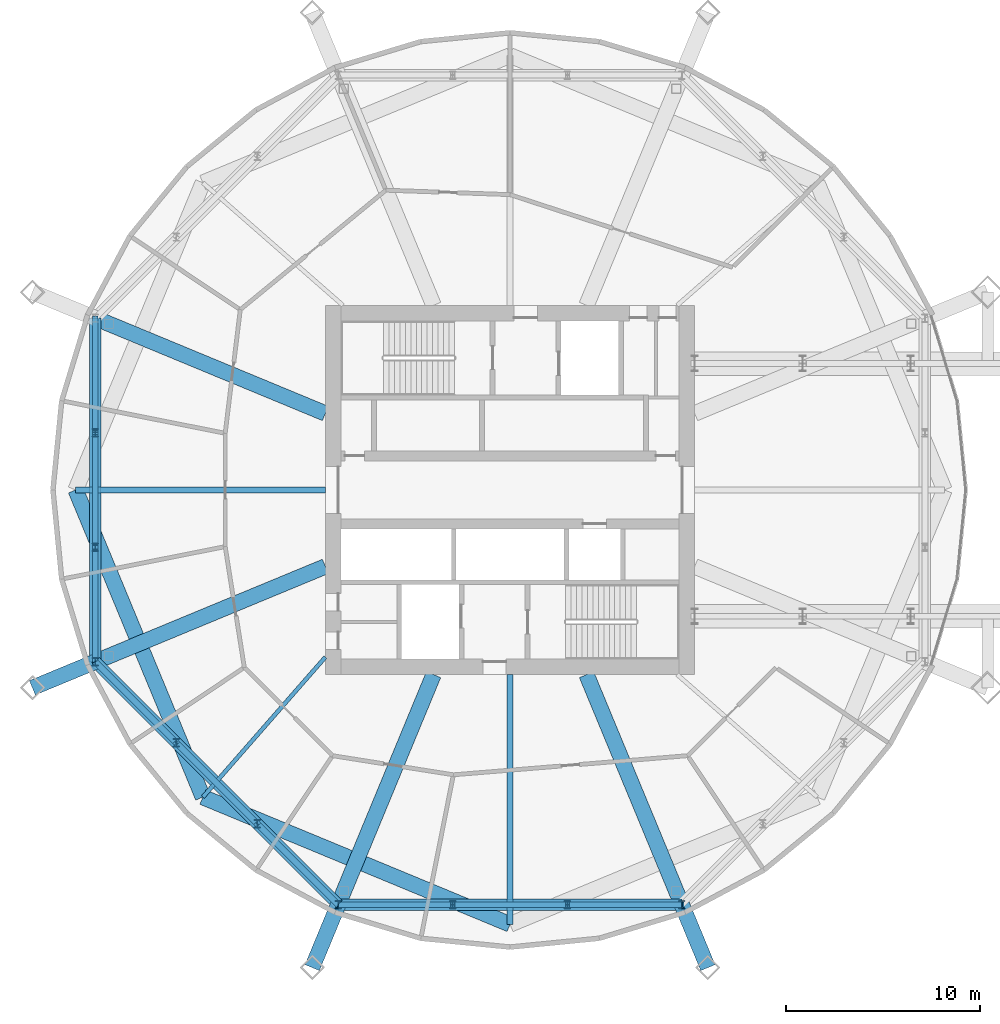
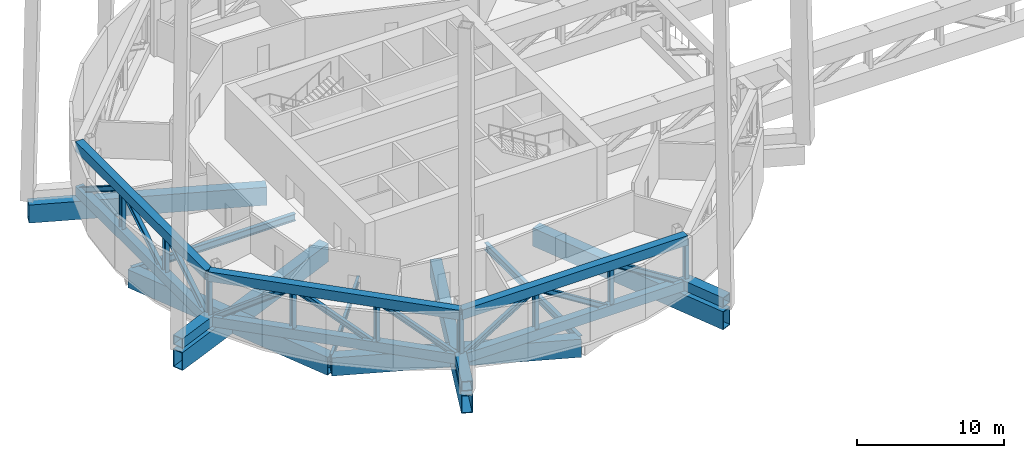
# One storey, part 3 of 19: 24 members, 12 beams.
"""IFC4 building model written with IfcOpenShell, lengths in metres."""

from ifc_helpers import new_model, si_unit, direction, frame, origin, origin_2d, place, context, subcontext, project, spatial, hollow_rectangle, i_section, extrude, material, material_profile, profile_set, type_object, element, save


model = new_model("IFC4")

# Units and contexts
model_context = context("Model", 3, precision=1e-05, world=origin(), true_north=direction((0.0, 1.0)))
body_context = subcontext(model_context, "Body", "Model", "MODEL_VIEW")
ifc_project = project(units=[si_unit("LENGTHUNIT", "METRE"), si_unit("AREAUNIT", "SQUARE_METRE"), si_unit("VOLUMEUNIT", "CUBIC_METRE"), si_unit("PLANEANGLEUNIT", "RADIAN"), si_unit("MASSUNIT", "GRAM", prefix="KILO")], contexts=[model_context])

# Site, building, storey
site_placement = place(None, origin())
site = spatial("IfcSite", under=ifc_project, at=site_placement, CompositionType="ELEMENT")
building_placement = place(site_placement, origin())
building = spatial("IfcBuilding", under=site, at=building_placement, Name="Ogive Gate Towers", CompositionType="ELEMENT")
storey_placement = place(building_placement, frame((0.0, 0.0, 130.800048828125)))
storey = spatial("IfcBuildingStorey", under=building, at=storey_placement, Name="L31", CompositionType="ELEMENT", Elevation=130.800048828125)

# Beams
ifc_material_1 = material(Name="Steel SM460", Category="steel")
ifc_material_profile_1 = material_profile(ifc_material_1, hollow_rectangle(XDim=0.800048828125, YDim=1.5, WallThickness=0.06005859375, at=origin_2d()), Name="BX 1500x800x60")
ifc_profile_set_1 = profile_set([ifc_material_profile_1], Name="Steel SM460")
beam_type_1 = type_object("IfcBeamType", Name="Edge girder BX 1500x800x60", PredefinedType="BEAM", material=ifc_profile_set_1)
for number, where, z_axis, x_axis, name in (
    (1, (-51.803955078125, -15.803955078125, -1.050048828125), (0.923880978344, -0.382679941797, 0.0), (0.382679941797, 0.923880978344, 0.0), "T1/L31/SBM017"),
    (2, (-58.35009765625, 0.0, -1.050048828125), (0.382679941797, -0.923880978344, 0.0), (0.923880978344, 0.382679941797, 0.0), "T1/L31/SBM024"),
):
    element("IfcBeam", number, at=place(storey_placement, frame(where, z_axis=z_axis, x_axis=x_axis)), inside=storey, type_object=beam_type_1, Name=name, PredefinedType="BEAM", context=body_context, shape_type="SweptSolid", body=[
        extrude(hollow_rectangle(XDim=0.800048828125, YDim=1.5, WallThickness=0.06005859375, at=origin_2d()), origin(), (0.0, 0.0, 1.0), 17.10595703125),
    ])
ifc_material_profile_2 = material_profile(ifc_material_1, hollow_rectangle(XDim=0.800048828125, YDim=0.800048828125, WallThickness=0.050048828125, at=origin_2d()), Name="BX 800x800x50")
ifc_profile_set_2 = profile_set([ifc_material_profile_2], Name="Steel SM460")
beam_type_2 = type_object("IfcBeamType", Name="Node arm BX 800x800x50", PredefinedType="BEAM", material=ifc_profile_set_2)
for number, where, z_axis, x_axis, name in (
    (3, (-57.341552734375, -8.840087890625, 0.449951171875), (-0.923885910704, -0.382668033682, 0.0), (0.382668033682, -0.923885910704, 0.0), "T1/L31/SBM029"),
    (4, (-44.840087890625, -21.341552734375, 0.449951171875), (-0.382668033682, -0.923885910704, 0.0), (0.923885910704, -0.382668033682, 0.0), "T1/L31/SBM030"),
    (5, (-27.159912109375, -21.341552734375, 0.449951171875), (0.382668033682, -0.923885910704, 0.0), (0.923885910704, 0.382668033682, 0.0), "T1/L31/SBM031"),
):
    element("IfcBeam", number, at=place(storey_placement, frame(where, z_axis=z_axis, x_axis=x_axis)), inside=storey, type_object=beam_type_2, Name=name, PredefinedType="BEAM", context=body_context, shape_type="SweptSolid", body=[
        extrude(hollow_rectangle(XDim=0.800048828125, YDim=0.800048828125, WallThickness=0.050048828125, at=origin_2d()), origin(), (0.0, 0.0, 1.0), 3.5),
    ])
ifc_material_2 = material(Name="Steel SM355", Category="steel")
ifc_material_profile_3 = material_profile(ifc_material_2, i_section(OverallWidth=0.300048828125, OverallDepth=0.590087890625, WebThickness=0.012939453125, FlangeThickness=0.02490234375, FilletRadius=0.027099609375, at=origin_2d()), Name="HE 600 A")
ifc_profile_set_3 = profile_set([ifc_material_profile_3], Name="Steel SM355")
beam_type_3 = type_object("IfcBeamType", Name="Radial floor beam HE 600 A", PredefinedType="BEAM", material=ifc_profile_set_3)
for number, where, z_axis, x_axis, name in (
    (6, (-36.0, -9.5, -0.594970703125), (0.0, -1.0, 0.0), (1.0, 0.0, 0.0), "T1/L31/SBM003"),
    (7, (-45.5, 0.0, -0.594970703125), (-1.0, 0.0, 0.0), (0.0, -1.0, 0.0), "T1/L31/SBM015"),
):
    element("IfcBeam", number, at=place(storey_placement, frame(where, z_axis=z_axis, x_axis=x_axis)), inside=storey, type_object=beam_type_3, Name=name, PredefinedType="BEAM", context=body_context, shape_type="SweptSolid", body=[
        extrude(i_section(OverallWidth=0.300048828125, OverallDepth=0.590087890625, WebThickness=0.012939453125, FlangeThickness=0.02490234375, FilletRadius=0.027099609375, at=origin_2d()), origin(), (0.0, 0.0, 1.0), 12.85009765625),
    ])
ifc_material_profile_4 = material_profile(ifc_material_2, i_section(OverallWidth=0.2099609375, OverallDepth=0.550048828125, WebThickness=0.010986328125, FlangeThickness=0.01708984375, FilletRadius=0.02392578125, at=origin_2d()), Name="IPE 550")
ifc_profile_set_4 = profile_set([ifc_material_profile_4], Name="Steel SM355")
beam_type_4 = type_object("IfcBeamType", Name="Radial floor beam IPE 550", PredefinedType="BEAM", material=ifc_profile_set_4)
beam_placement = place(storey_placement, frame((-45.5, -8.60009765625, -0.574951171875), z_axis=(-0.658538913457, -0.752546675937, 0.0), x_axis=(0.752546675937, -0.658538913457, 0.0)))
element("IfcBeam", 8, at=beam_placement, inside=storey, type_object=beam_type_4, Name="T1/L31/SBM001", PredefinedType="BEAM", context=body_context, shape_type="SweptSolid", body=[
    extrude(i_section(OverallWidth=0.2099609375, OverallDepth=0.550048828125, WebThickness=0.010986328125, FlangeThickness=0.01708984375, FilletRadius=0.02392578125, at=origin_2d()), origin(), (0.0, 0.0, 1.0), 9.57275390625),
])
ifc_material_profile_5 = material_profile(ifc_material_1, hollow_rectangle(XDim=0.800048828125, YDim=1.5, WallThickness=0.06005859375, at=origin_2d()), Name="BX 1500x800x60")
ifc_profile_set_5 = profile_set([ifc_material_profile_5], Name="Steel SM460")
beam_type_5 = type_object("IfcBeamType", Name="Transfer radial beam BX 1500x800x60", PredefinedType="BEAM", material=ifc_profile_set_5)
for number, where, z_axis, x_axis, name in (
    (9, (-39.93505859375, -9.5, -1.050048828125), (-0.382685232436, -0.923878786896, 0.0), (0.923878786896, -0.382685232436, 0.0), "T1/L31/SBM002"),
    (10, (-32.06494140625, -9.5, -1.050048828125), (0.382685232436, -0.923878786896, 0.0), (0.923878786896, 0.382685232436, 0.0), "T1/L31/SBM004"),
    (11, (-45.5, 3.93505859375, -1.050048828125), (-0.923878786896, 0.382685232436, 0.0), (-0.382685232436, -0.923878786896, 0.0), "T1/L31/SBM014"),
    (12, (-45.5, -3.93505859375, -1.050048828125), (-0.923878786896, -0.382685232436, 0.0), (0.382685232436, -0.923878786896, 0.0), "T1/L31/SBM016"),
):
    element("IfcBeam", number, at=place(storey_placement, frame(where, z_axis=z_axis, x_axis=x_axis)), inside=storey, type_object=beam_type_5, Name=name, PredefinedType="BEAM", context=body_context, shape_type="SweptSolid", body=[
        extrude(hollow_rectangle(XDim=0.800048828125, YDim=1.5, WallThickness=0.06005859375, at=origin_2d()), origin(), (0.0, 0.0, 1.0), 16.3173828125),
    ])

# Members
ifc_material_profile_6 = material_profile(ifc_material_1, hollow_rectangle(XDim=0.60009765625, YDim=0.800048828125, WallThickness=0.0400390625, at=origin_2d()), Name="BX 800x600x40")
ifc_profile_set_6 = profile_set([ifc_material_profile_6], Name="Steel SM460")
member_type_1 = type_object("IfcMemberType", Name="Truss chord BX 800x600x40", PredefinedType="CHORD", material=ifc_profile_set_6)
for number, where, z_axis, x_axis, name in (
    (13, (-57.341552734375, 8.840087890625, 0.39990234375), (0.0, -1.0, 0.0), (1.0, 0.0, 0.0), "T1/L31/STR026"),
    (14, (-57.341552734375, 8.840087890625, 4.099853515625), (0.0, -1.0, 0.0), (1.0, 0.0, 0.0), "T1/L31/STR027"),
):
    element("IfcMember", number, at=place(storey_placement, frame(where, z_axis=z_axis, x_axis=x_axis)), inside=storey, type_object=member_type_1, Name=name, PredefinedType="CHORD", context=body_context, shape_type="SweptSolid", body=[
        extrude(hollow_rectangle(XDim=0.60009765625, YDim=0.800048828125, WallThickness=0.0400390625, at=origin_2d()), origin(), (0.0, 0.0, 1.0), 17.68017578125),
    ])
for number, where, z_axis, x_axis, name in (
    (15, (-57.341552734375, -8.840087890625, 0.39990234375), (0.707106781187, -0.707106781187, 0.0), (0.707106781187, 0.707106781187, 0.0), "T1/L31/STR034"),
    (16, (-57.341552734375, -8.840087890625, 4.099853515625), (0.707106781187, -0.707106781187, 0.0), (0.707106781187, 0.707106781187, 0.0), "T1/L31/STR035"),
):
    element("IfcMember", number, at=place(storey_placement, frame(where, z_axis=z_axis, x_axis=x_axis)), inside=storey, type_object=member_type_1, Name=name, PredefinedType="CHORD", context=body_context, shape_type="SweptSolid", body=[
        extrude(hollow_rectangle(XDim=0.60009765625, YDim=0.800048828125, WallThickness=0.0400390625, at=origin_2d()), origin(), (0.0, 0.0, 1.0), 17.6796875),
    ])
for number, where, z_axis, x_axis, name in (
    (17, (-44.840087890625, -21.341552734375, 0.39990234375), (1.0, 0.0, 0.0), (0.0, 1.0, 0.0), "T1/L31/STR042"),
    (18, (-44.840087890625, -21.341552734375, 4.099853515625), (1.0, 0.0, 0.0), (0.0, 1.0, 0.0), "T1/L31/STR043"),
):
    element("IfcMember", number, at=place(storey_placement, frame(where, z_axis=z_axis, x_axis=x_axis)), inside=storey, type_object=member_type_1, Name=name, PredefinedType="CHORD", context=body_context, shape_type="SweptSolid", body=[
        extrude(hollow_rectangle(XDim=0.60009765625, YDim=0.800048828125, WallThickness=0.0400390625, at=origin_2d()), origin(), (0.0, 0.0, 1.0), 17.68017578125),
    ])
ifc_material_profile_7 = material_profile(ifc_material_1, i_section(OverallWidth=0.300048828125, OverallDepth=0.39990234375, WebThickness=0.013427734375, FlangeThickness=0.02392578125, FilletRadius=0.027099609375, at=origin_2d()), Name="HE 400 B")
ifc_profile_set_7 = profile_set([ifc_material_profile_7], Name="Steel SM460")
member_type_2 = type_object("IfcMemberType", Name="Truss diagonal HE 400 B", PredefinedType="BRACE", material=ifc_profile_set_7)
member_1_placement = place(storey_placement, frame((-57.341552734375, 8.840087890625, 0.39990234375), z_axis=(0.0, -0.846922323401, 0.531716633297), x_axis=(1.0, 0.0, 0.0)))
element("IfcMember", 19, at=member_1_placement, inside=storey, type_object=member_type_2, Name="T1/L31/STR028", PredefinedType="BRACE", context=body_context, shape_type="SweptSolid", body=[
    extrude(i_section(OverallWidth=0.300048828125, OverallDepth=0.39990234375, WebThickness=0.013427734375, FlangeThickness=0.02392578125, FilletRadius=0.027099609375, at=origin_2d()), origin(), (0.0, 0.0, 1.0), 6.95849609375),
])
member_2_placement = place(storey_placement, frame((-57.341552734375, 2.94677734375, 4.099853515625), z_axis=(0.0, -0.846932242345, -0.531700833999), x_axis=(1.0, 0.0, 0.0)))
element("IfcMember", 20, at=member_2_placement, inside=storey, type_object=member_type_2, Name="T1/L31/STR029", PredefinedType="BRACE", context=body_context, shape_type="SweptSolid", body=[
    extrude(i_section(OverallWidth=0.300048828125, OverallDepth=0.39990234375, WebThickness=0.013427734375, FlangeThickness=0.02392578125, FilletRadius=0.027099609375, at=origin_2d()), origin(), (0.0, 0.0, 1.0), 6.958740234375),
])
for number, where, z_axis, x_axis, name in (
    (21, (-57.341552734375, -2.94677734375, 4.099853515625), (0.0, -0.846922323401, -0.531716633297), (1.0, 0.0, 0.0), "T1/L31/STR030"),
    (22, (-57.341552734375, -8.840087890625, 0.39990234375), (0.598866000046, -0.598866000046, 0.531713294903), (0.707106781187, 0.707106781187, 0.0), "T1/L31/STR036"),
):
    element("IfcMember", number, at=place(storey_placement, frame(where, z_axis=z_axis, x_axis=x_axis)), inside=storey, type_object=member_type_2, Name=name, PredefinedType="BRACE", context=body_context, shape_type="SweptSolid", body=[
        extrude(i_section(OverallWidth=0.300048828125, OverallDepth=0.39990234375, WebThickness=0.013427734375, FlangeThickness=0.02392578125, FilletRadius=0.027099609375, at=origin_2d()), origin(), (0.0, 0.0, 1.0), 6.95849609375),
    ])
member_3_placement = place(storey_placement, frame((-53.17431640625, -13.00732421875, 4.099853515625), z_axis=(0.598856080222, -0.598856080222, -0.531735639545), x_axis=(0.707106781187, 0.707106781187, 0.0)))
element("IfcMember", 23, at=member_3_placement, inside=storey, type_object=member_type_2, Name="T1/L31/STR037", PredefinedType="BRACE", context=body_context, shape_type="SweptSolid", body=[
    extrude(i_section(OverallWidth=0.300048828125, OverallDepth=0.39990234375, WebThickness=0.013427734375, FlangeThickness=0.02392578125, FilletRadius=0.027099609375, at=origin_2d()), origin(), (0.0, 0.0, 1.0), 6.958251953125),
])
for number, where, z_axis, x_axis, name in (
    (24, (-49.00732421875, -17.17431640625, 4.099853515625), (0.598866000046, -0.598866000046, -0.531713294903), (0.707106781187, 0.707106781187, 0.0), "T1/L31/STR038"),
    (25, (-44.840087890625, -21.341552734375, 0.39990234375), (0.846922323401, 0.0, 0.531716633297), (0.0, 1.0, 0.0), "T1/L31/STR044"),
):
    element("IfcMember", number, at=place(storey_placement, frame(where, z_axis=z_axis, x_axis=x_axis)), inside=storey, type_object=member_type_2, Name=name, PredefinedType="BRACE", context=body_context, shape_type="SweptSolid", body=[
        extrude(i_section(OverallWidth=0.300048828125, OverallDepth=0.39990234375, WebThickness=0.013427734375, FlangeThickness=0.02392578125, FilletRadius=0.027099609375, at=origin_2d()), origin(), (0.0, 0.0, 1.0), 6.95849609375),
    ])
member_4_placement = place(storey_placement, frame((-38.94677734375, -21.341552734375, 4.099853515625), z_axis=(0.846932242345, 0.0, -0.531700833999), x_axis=(0.0, 1.0, 0.0)))
element("IfcMember", 26, at=member_4_placement, inside=storey, type_object=member_type_2, Name="T1/L31/STR045", PredefinedType="BRACE", context=body_context, shape_type="SweptSolid", body=[
    extrude(i_section(OverallWidth=0.300048828125, OverallDepth=0.39990234375, WebThickness=0.013427734375, FlangeThickness=0.02392578125, FilletRadius=0.027099609375, at=origin_2d()), origin(), (0.0, 0.0, 1.0), 6.958740234375),
])
member_5_placement = place(storey_placement, frame((-33.05322265625, -21.341552734375, 4.099853515625), z_axis=(0.846922323401, 0.0, -0.531716633297), x_axis=(0.0, 1.0, 0.0)))
element("IfcMember", 27, at=member_5_placement, inside=storey, type_object=member_type_2, Name="T1/L31/STR046", PredefinedType="BRACE", context=body_context, shape_type="SweptSolid", body=[
    extrude(i_section(OverallWidth=0.300048828125, OverallDepth=0.39990234375, WebThickness=0.013427734375, FlangeThickness=0.02392578125, FilletRadius=0.027099609375, at=origin_2d()), origin(), (0.0, 0.0, 1.0), 6.95849609375),
])
ifc_material_profile_8 = material_profile(ifc_material_1, i_section(OverallWidth=0.300048828125, OverallDepth=0.39990234375, WebThickness=0.013427734375, FlangeThickness=0.02392578125, FilletRadius=0.027099609375, at=origin_2d()), Name="HE 400 B")
ifc_profile_set_8 = profile_set([ifc_material_profile_8], Name="Steel SM460")
member_type_3 = type_object("IfcMemberType", Name="Truss post HE 400 B", PredefinedType="POST", material=ifc_profile_set_8)
for number, where, z_axis, x_axis, name in (
    (28, (-57.341552734375, 2.94677734375, 0.39990234375), (0.0, 0.0, 1.0), (1.0, 0.0, 0.0), "T1/L31/STR031"),
    (29, (-57.341552734375, -2.94677734375, 0.39990234375), (0.0, 0.0, 1.0), (1.0, 0.0, 0.0), "T1/L31/STR032"),
    (30, (-57.341552734375, -8.840087890625, 0.39990234375), (0.0, 0.0, 1.0), (1.0, 0.0, 0.0), "T1/L31/STR033"),
    (31, (-53.17431640625, -13.00732421875, 0.39990234375), (0.0, 0.0, 1.0), (1.0, 0.0, 0.0), "T1/L31/STR039"),
    (32, (-49.00732421875, -17.17431640625, 0.39990234375), (0.0, 0.0, 1.0), (1.0, 0.0, 0.0), "T1/L31/STR040"),
    (33, (-44.840087890625, -21.341552734375, 0.39990234375), (0.0, 0.0, 1.0), (1.0, 0.0, 0.0), "T1/L31/STR041"),
    (34, (-38.94677734375, -21.341552734375, 0.39990234375), (0.0, 0.0, 1.0), (1.0, 0.0, 0.0), "T1/L31/STR047"),
    (35, (-33.05322265625, -21.341552734375, 0.39990234375), (0.0, 0.0, 1.0), (1.0, 0.0, 0.0), "T1/L31/STR048"),
    (36, (-27.159912109375, -21.341552734375, 0.39990234375), (0.0, 0.0, 1.0), (1.0, 0.0, 0.0), "T1/L31/STR049"),
):
    element("IfcMember", number, at=place(storey_placement, frame(where, z_axis=z_axis, x_axis=x_axis)), inside=storey, type_object=member_type_3, Name=name, PredefinedType="POST", context=body_context, shape_type="SweptSolid", body=[
        extrude(i_section(OverallWidth=0.300048828125, OverallDepth=0.39990234375, WebThickness=0.013427734375, FlangeThickness=0.02392578125, FilletRadius=0.027099609375, at=origin_2d()), origin(), (0.0, 0.0, 1.0), 3.699951171875),
    ])

save(model, "model.ifc")
